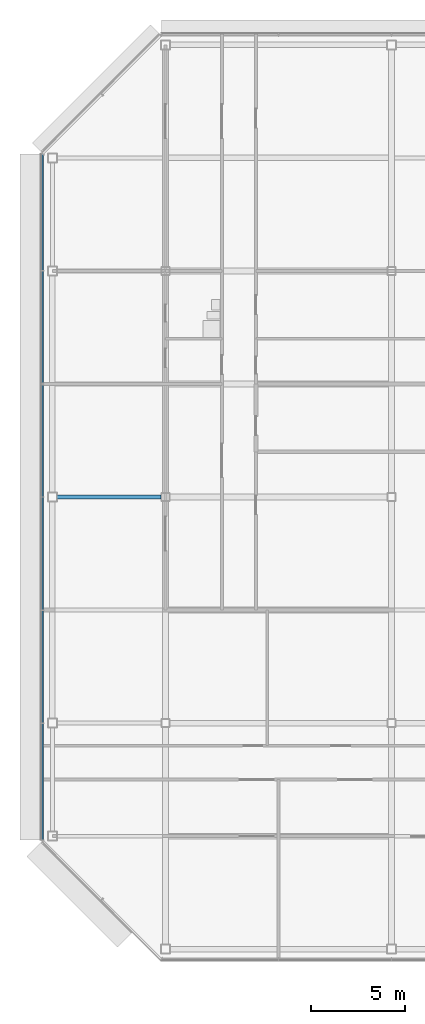
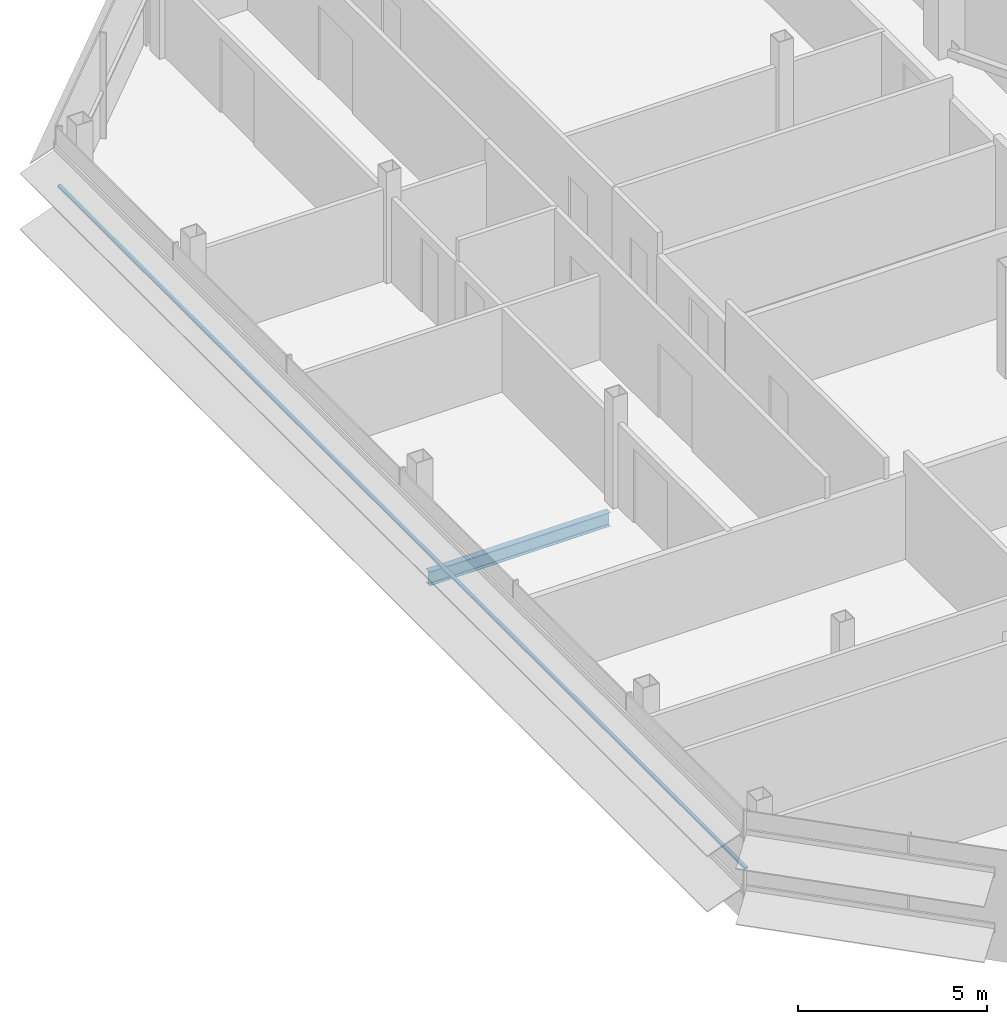
# One storey, part 7 of 27: 1 beam, 1 member, 1 element without a shape of its own.
"""IFC4 building model written with IfcOpenShell, lengths in metres."""

import ifcopenshell
import ifcopenshell.guid

model = None  # the IFC model being written
_history = None  # IfcOwnerHistory: only IFC2X3 demands one
_inside = {}  # id of a spatial element -> (the spatial element, [elements in it])
_under = {}  # id of a project, library or spatial element -> (it, [spatial elements below it])
_declared = {}  # id of a project -> (the project, [libraries it declares])
_typed = {}  # id of a type object -> (the type object, [elements of that type])
_made_of = {}  # id of a material, layer set ... -> (it, [elements and type objects made of it])


def new_model(schema):
    """Start an empty IFC model of exactly this schema.

    Asked for "IFC4X3", IfcOpenShell would pick the latest addendum, in which some entities
    have other attributes; the version numbers below select the first issue.
    IFC2X3 requires an IfcOwnerHistory on every rooted entity: one is made here for all.
    """
    global model, _history
    if schema == "IFC4X3":
        model = ifcopenshell.file(schema_version=(4, 3, 0, 0))
    else:
        model = ifcopenshell.file(schema=schema)
    _inside.clear()
    _under.clear()
    _declared.clear()
    _typed.clear()
    _made_of.clear()
    _history = None
    if model.schema == "IFC2X3":
        org = make("IfcOrganization", Name="unknown")
        user = make(
            "IfcPersonAndOrganization",
            ThePerson=make("IfcPerson", FamilyName="unknown"),
            TheOrganization=org,
        )
        app = make(
            "IfcApplication",
            ApplicationDeveloper=org,
            Version="unknown",
            ApplicationFullName="unknown",
            ApplicationIdentifier="unknown",
        )
        _history = make(
            "IfcOwnerHistory",
            OwningUser=user,
            OwningApplication=app,
            ChangeAction="ADDED",
            CreationDate=0,
        )
    return model


def make(cls, **values):
    """One entity of the class cls with the attributes given. An attribute that is None is left unset."""
    return model.create_entity(
        cls, **{name: value for name, value in values.items() if value is not None}
    )


def rooted(cls, **values):
    """An entity with a GlobalId (a new one), such as an element, a storey or a relation."""
    return make(cls, GlobalId=ifcopenshell.guid.new(), OwnerHistory=_history, **values)


def si_unit(unit_type, name, prefix=None):
    """IfcSIUnit, for example si_unit("LENGTHUNIT", "METRE", prefix="MILLI")."""
    return make("IfcSIUnit", UnitType=unit_type, Prefix=prefix, Name=name)


def assignment(units):
    """IfcUnitAssignment: the units of a project."""
    return None if units is None else make("IfcUnitAssignment", Units=units)


def point(xyz):
    """IfcCartesianPoint."""
    return None if xyz is None else make("IfcCartesianPoint", Coordinates=xyz)


def direction(xyz):
    """IfcDirection."""
    return None if xyz is None else make("IfcDirection", DirectionRatios=xyz)


def frame(location, z_axis=None, x_axis=None):
    """IfcAxis2Placement3D, a coordinate frame: its origin and axes. An axis left out is left unset."""
    return make(
        "IfcAxis2Placement3D",
        Location=point(location),
        Axis=direction(z_axis),
        RefDirection=direction(x_axis),
    )


def frame_2d(location, x_axis=None):
    """IfcAxis2Placement2D, a coordinate frame in the plane: its origin and x axis."""
    return make(
        "IfcAxis2Placement2D", Location=point(location), RefDirection=direction(x_axis)
    )


def origin():
    """The frame at (0, 0, 0) with its axes left unset."""
    return frame((0.0, 0.0, 0.0))


def origin_2d():
    """The frame at (0, 0) in the plane with its x axis left unset."""
    return frame_2d((0.0, 0.0))


def place(relative_to, where):
    """IfcLocalPlacement: puts the frame where relative to a parent placement (None: the world)."""
    return make(
        "IfcLocalPlacement", PlacementRelTo=relative_to, RelativePlacement=where
    )


def context(
    kind, dimensions, precision=None, world=None, true_north=None, identifier=None
):
    """IfcGeometricRepresentationContext, for example the 3D "Model" context."""
    return make(
        "IfcGeometricRepresentationContext",
        ContextIdentifier=identifier,
        ContextType=kind,
        CoordinateSpaceDimension=dimensions,
        Precision=precision,
        WorldCoordinateSystem=world,
        TrueNorth=true_north,
    )


def subcontext(parent, identifier, kind, view, scale=None):
    """IfcGeometricRepresentationSubContext, for example "Body" below "Model"."""
    return make(
        "IfcGeometricRepresentationSubContext",
        ContextIdentifier=identifier,
        ContextType=kind,
        ParentContext=parent,
        TargetScale=scale,
        TargetView=view,
    )


def project(units=None, contexts=None):
    """IfcProject with its units and contexts."""
    return rooted(
        "IfcProject",
        Name="project",
        RepresentationContexts=contexts,
        UnitsInContext=assignment(units),
    )


def spatial(cls, under=None, at=None, **own):
    """A site, building, storey or space (cls), placed at a placement, below another one or the project."""
    s = rooted(cls, ObjectPlacement=at, **own)
    if under is not None:
        _under.setdefault(under.id(), (under, []))[1].append(s)
    return s


def profile(cls, at=None, kind="AREA", **sizes):
    """A parametric profile (cls). Its sizes go by their IFC names, for example OverallWidth=200.0."""
    return make(cls, ProfileType=kind, Position=at, **sizes)


def rectangle(**sizes):
    """IfcRectangleProfileDef."""
    return profile("IfcRectangleProfileDef", **sizes)


def i_section(**sizes):
    """IfcIShapeProfileDef."""
    return profile("IfcIShapeProfileDef", **sizes)


def extrude(swept, where, along, depth):
    """IfcExtrudedAreaSolid: the profile swept, set in the frame where, extruded along a direction by depth."""
    return make(
        "IfcExtrudedAreaSolid",
        SweptArea=swept,
        Position=where,
        ExtrudedDirection=direction(along),
        Depth=depth,
    )


def shape(context_of_items, identifier, shape_type, items):
    """IfcShapeRepresentation: the items that make up one representation, for example the "Body"."""
    return make(
        "IfcShapeRepresentation",
        ContextOfItems=context_of_items,
        RepresentationIdentifier=identifier,
        RepresentationType=shape_type,
        Items=items,
    )


def material(Name=None, Category=None):
    """IfcMaterial."""
    return make("IfcMaterial", Name=Name, Category=Category)


def material_profile(
    of_material, cross_section, Name=None, Category=None, Priority=None
):
    """IfcMaterialProfile: a cross section and its material."""
    return make(
        "IfcMaterialProfile",
        Name=Name,
        Material=of_material,
        Profile=cross_section,
        Priority=Priority,
        Category=Category,
    )


def profile_set(profiles, Name=None, composite=None):
    """IfcMaterialProfileSet."""
    return make(
        "IfcMaterialProfileSet",
        Name=Name,
        MaterialProfiles=profiles,
        CompositeProfile=composite,
    )


def made_of(thing, what):
    """Note that an element or type object is made of a material, layer set ...; save() writes the relation."""
    if what is not None:
        _made_of.setdefault(what.id(), (what, []))[1].append(thing)
    return thing


def type_object(cls, material=None, **own):
    """A type object (cls), such as IfcWallType, which elements share."""
    return made_of(rooted(cls, **own), material)


def element(
    cls,
    number,
    at=None,
    inside=None,
    cuts=None,
    type_object=None,
    material=None,
    context=None,
    identifier="Body",
    shape_type=None,
    held_by="IfcProductDefinitionShape",
    body=None,
    shapes=None,
    **own,
):
    """One element of the class cls, such as IfcWall. Its Tag is "e" and its number.

    at: its placement. inside: the storey or other place that contains it. cuts: it is an
    opening in that element (IfcRelVoidsElement). A single representation is given by context,
    identifier, shape_type and body (its items); several are given by shapes. held_by: the class
    of the entity that holds the representations. save() writes the other relations.
    """
    e = rooted(cls, Tag="e%d" % number, ObjectPlacement=at, **own)
    if body is not None:
        shapes = [shape(context, identifier, shape_type, body)]
    if shapes is not None:
        e.Representation = make(held_by, Representations=shapes)
    if inside is not None:
        _inside.setdefault(inside.id(), (inside, []))[1].append(e)
    if cuts is not None:
        rooted(
            "IfcRelVoidsElement", RelatingBuildingElement=cuts, RelatedOpeningElement=e
        )
    if type_object is not None:
        _typed.setdefault(type_object.id(), (type_object, []))[1].append(e)
    return made_of(e, material)


def aggregate(whole, parts):
    """IfcRelAggregates: a whole, such as a stair, and the parts it consists of."""
    return rooted("IfcRelAggregates", RelatingObject=whole, RelatedObjects=parts)


def save(model, path):
    """Write the relations noted so far, then the file.

    IfcRelAggregates (storeys below a building ...), IfcRelContainedInSpatialStructure (elements
    in a storey), IfcRelDefinesByType, IfcRelAssociatesMaterial and IfcRelDeclares: one each for
    every whole, place, type object, material and project.
    """
    for whole, parts in _under.values():
        aggregate(whole, parts)
    for where, things in _inside.values():
        rooted(
            "IfcRelContainedInSpatialStructure",
            RelatedElements=things,
            RelatingStructure=where,
        )
    for kind, things in _typed.values():
        rooted("IfcRelDefinesByType", RelatedObjects=things, RelatingType=kind)
    for what, things in _made_of.values():
        rooted("IfcRelAssociatesMaterial", RelatedObjects=things, RelatingMaterial=what)
    for by, libraries in _declared.values():
        rooted("IfcRelDeclares", RelatingContext=by, RelatedDefinitions=libraries)
    model.write(path)


model = new_model("IFC4")

# Units and contexts
model_context = context("Model", 3, precision=1e-05, world=origin(), true_north=direction((0.0, 1.0)))
body_context = subcontext(model_context, "Body", "Model", "MODEL_VIEW")
ifc_project = project(units=[si_unit("LENGTHUNIT", "METRE"), si_unit("AREAUNIT", "SQUARE_METRE"), si_unit("VOLUMEUNIT", "CUBIC_METRE"), si_unit("PLANEANGLEUNIT", "RADIAN"), si_unit("MASSUNIT", "GRAM", prefix="KILO")], contexts=[model_context])

# Site, building, storey
site_placement = place(None, origin())
site = spatial("IfcSite", under=ifc_project, at=site_placement, CompositionType="ELEMENT")
building_placement = place(site_placement, origin())
building = spatial("IfcBuilding", under=site, at=building_placement, Name="Sorahane Residences", CompositionType="ELEMENT")
storey_placement = place(building_placement, frame((0.0, 0.0, 323.199951171875)))
storey = spatial("IfcBuildingStorey", under=building, at=storey_placement, Name="L77", CompositionType="ELEMENT", Elevation=323.199951171875)

# Curtain wall, member
ifc_material_1 = material(Name="Dark low-e glass and black anodised aluminium", Category="aluminium")
curtain_wall_type = type_object("IfcCurtainWallType", Name="Curtain wall CW-1 Typical unitised wall", PredefinedType="NOTDEFINED", material=ifc_material_1)
curtain_wall_placement = place(storey_placement, origin())
curtain_wall = element("IfcCurtainWall", 1, at=curtain_wall_placement, inside=storey, type_object=curtain_wall_type, Name="CW-1 curtain wall L77 W1", PredefinedType="NOTDEFINED")
ifc_material_2 = material(Name="Black anodised aluminium", Category="aluminium")
ifc_material_profile_1 = material_profile(ifc_material_2, rectangle(XDim=0.10009765625, YDim=0.06005859375, at=origin_2d()), Name="Curtain wall transom CW-1 black anodised aluminium 60x100")
ifc_profile_set_1 = profile_set([ifc_material_profile_1], Name="Black anodised aluminium")
member_type = type_object("IfcMemberType", Name="Curtain wall transom CW-1 black anodised aluminium 60x100", PredefinedType="USERDEFINED", material=ifc_profile_set_1)
member_placement = place(storey_placement, frame((-18.530029296875, 42.198486328125, 1.5), z_axis=(0.0, -1.0, 0.0), x_axis=(1.0, 0.0, 0.0)))
member = element("IfcMember", 2, at=member_placement, type_object=member_type, Name="CW-1 transom L77 W1", ObjectType="TRANSOM", PredefinedType="USERDEFINED", context=body_context, shape_type="SweptSolid", body=[
    extrude(rectangle(XDim=0.10009765625, YDim=0.06005859375, at=origin_2d()), origin(), (0.0, 0.0, 1.0), 36.39697265625),
])
aggregate(curtain_wall, [member])

# Beam
ifc_material_3 = material(Name="Steel Q355B", Category="steel")
ifc_material_profile_2 = material_profile(ifc_material_3, i_section(OverallWidth=0.199951171875, OverallDepth=0.449951171875, WebThickness=0.009033203125, FlangeThickness=0.013916015625, FilletRadius=0.02001953125, at=origin_2d()), Name="HN 450x200x9x14")
ifc_profile_set_2 = profile_set([ifc_material_profile_2], Name="Steel Q355B")
beam_type = type_object("IfcBeamType", Name="Steel floor beam HN 450x200x9x14 Q355B", PredefinedType="BEAM", material=ifc_profile_set_2)
beam_placement = place(storey_placement, frame((-17.75, 24.0, -0.405029296875), z_axis=(1.0, 0.0, 0.0), x_axis=(0.0, 1.0, 0.0)))
element("IfcBeam", 3, at=beam_placement, inside=storey, type_object=beam_type, Name="Beam L77 011", PredefinedType="BEAM", context=body_context, shape_type="SweptSolid", body=[
    extrude(i_section(OverallWidth=0.199951171875, OverallDepth=0.449951171875, WebThickness=0.009033203125, FlangeThickness=0.013916015625, FilletRadius=0.02001953125, at=origin_2d()), origin(), (0.0, 0.0, 1.0), 5.52490234375),
])

save(model, "model.ifc")
